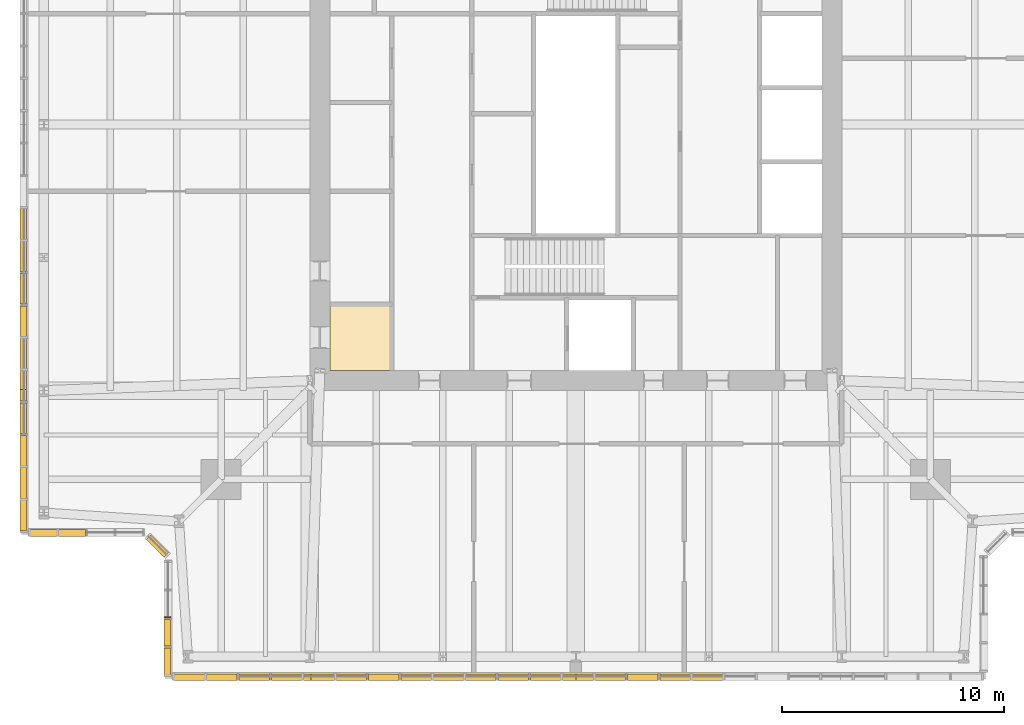
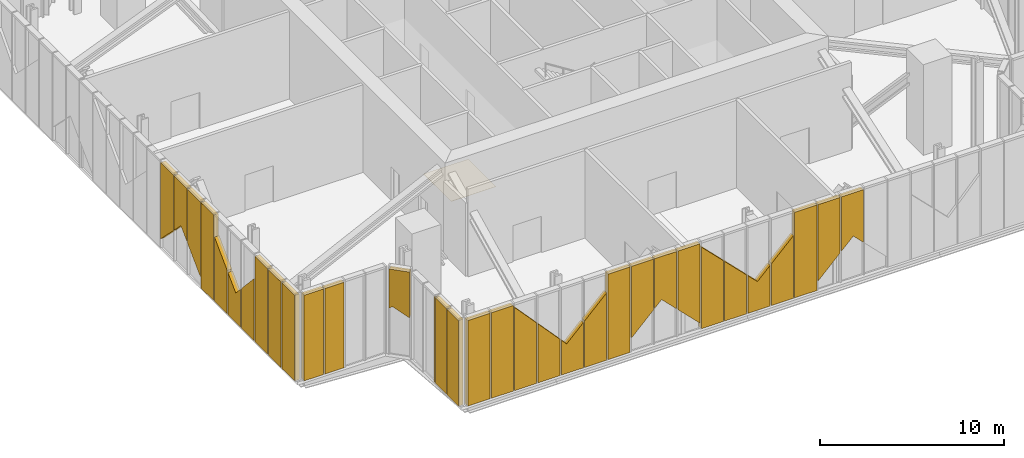
# One storey, part 14 of 18: 34 coverings.
"""IFC4 building model written with IfcOpenShell, lengths in metres."""

import ifcopenshell
import ifcopenshell.guid

model = None  # the IFC model being written
_history = None  # IfcOwnerHistory: only IFC2X3 demands one
_inside = {}  # id of a spatial element -> (the spatial element, [elements in it])
_under = {}  # id of a project, library or spatial element -> (it, [spatial elements below it])
_declared = {}  # id of a project -> (the project, [libraries it declares])
_typed = {}  # id of a type object -> (the type object, [elements of that type])
_made_of = {}  # id of a material, layer set ... -> (it, [elements and type objects made of it])


def new_model(schema):
    """Start an empty IFC model of exactly this schema.

    Asked for "IFC4X3", IfcOpenShell would pick the latest addendum, in which some entities
    have other attributes; the version numbers below select the first issue.
    IFC2X3 requires an IfcOwnerHistory on every rooted entity: one is made here for all.
    """
    global model, _history
    if schema == "IFC4X3":
        model = ifcopenshell.file(schema_version=(4, 3, 0, 0))
    else:
        model = ifcopenshell.file(schema=schema)
    _inside.clear()
    _under.clear()
    _declared.clear()
    _typed.clear()
    _made_of.clear()
    _history = None
    if model.schema == "IFC2X3":
        org = make("IfcOrganization", Name="unknown")
        user = make(
            "IfcPersonAndOrganization",
            ThePerson=make("IfcPerson", FamilyName="unknown"),
            TheOrganization=org,
        )
        app = make(
            "IfcApplication",
            ApplicationDeveloper=org,
            Version="unknown",
            ApplicationFullName="unknown",
            ApplicationIdentifier="unknown",
        )
        _history = make(
            "IfcOwnerHistory",
            OwningUser=user,
            OwningApplication=app,
            ChangeAction="ADDED",
            CreationDate=0,
        )
    return model


def make(cls, **values):
    """One entity of the class cls with the attributes given. An attribute that is None is left unset."""
    return model.create_entity(
        cls, **{name: value for name, value in values.items() if value is not None}
    )


def rooted(cls, **values):
    """An entity with a GlobalId (a new one), such as an element, a storey or a relation."""
    return make(cls, GlobalId=ifcopenshell.guid.new(), OwnerHistory=_history, **values)


def si_unit(unit_type, name, prefix=None):
    """IfcSIUnit, for example si_unit("LENGTHUNIT", "METRE", prefix="MILLI")."""
    return make("IfcSIUnit", UnitType=unit_type, Prefix=prefix, Name=name)


def assignment(units):
    """IfcUnitAssignment: the units of a project."""
    return None if units is None else make("IfcUnitAssignment", Units=units)


def point(xyz):
    """IfcCartesianPoint."""
    return None if xyz is None else make("IfcCartesianPoint", Coordinates=xyz)


def direction(xyz):
    """IfcDirection."""
    return None if xyz is None else make("IfcDirection", DirectionRatios=xyz)


def frame(location, z_axis=None, x_axis=None):
    """IfcAxis2Placement3D, a coordinate frame: its origin and axes. An axis left out is left unset."""
    return make(
        "IfcAxis2Placement3D",
        Location=point(location),
        Axis=direction(z_axis),
        RefDirection=direction(x_axis),
    )


def origin():
    """The frame at (0, 0, 0) with its axes left unset."""
    return frame((0.0, 0.0, 0.0))


def place(relative_to, where):
    """IfcLocalPlacement: puts the frame where relative to a parent placement (None: the world)."""
    return make(
        "IfcLocalPlacement", PlacementRelTo=relative_to, RelativePlacement=where
    )


def context(
    kind, dimensions, precision=None, world=None, true_north=None, identifier=None
):
    """IfcGeometricRepresentationContext, for example the 3D "Model" context."""
    return make(
        "IfcGeometricRepresentationContext",
        ContextIdentifier=identifier,
        ContextType=kind,
        CoordinateSpaceDimension=dimensions,
        Precision=precision,
        WorldCoordinateSystem=world,
        TrueNorth=true_north,
    )


def subcontext(parent, identifier, kind, view, scale=None):
    """IfcGeometricRepresentationSubContext, for example "Body" below "Model"."""
    return make(
        "IfcGeometricRepresentationSubContext",
        ContextIdentifier=identifier,
        ContextType=kind,
        ParentContext=parent,
        TargetScale=scale,
        TargetView=view,
    )


def project(units=None, contexts=None):
    """IfcProject with its units and contexts."""
    return rooted(
        "IfcProject",
        Name="project",
        RepresentationContexts=contexts,
        UnitsInContext=assignment(units),
    )


def spatial(cls, under=None, at=None, **own):
    """A site, building, storey or space (cls), placed at a placement, below another one or the project."""
    s = rooted(cls, ObjectPlacement=at, **own)
    if under is not None:
        _under.setdefault(under.id(), (under, []))[1].append(s)
    return s


def polyline(points):
    """IfcPolyline through the points."""
    return make("IfcPolyline", Points=[point(p) for p in points])


def outline(outer, holes=None, kind="AREA"):
    """IfcArbitraryClosedProfileDef: a profile drawn as a closed curve; with holes, ...WithVoids."""
    if holes is None:
        return make("IfcArbitraryClosedProfileDef", ProfileType=kind, OuterCurve=outer)
    return make(
        "IfcArbitraryProfileDefWithVoids",
        ProfileType=kind,
        OuterCurve=outer,
        InnerCurves=holes,
    )


def extrude(swept, where, along, depth):
    """IfcExtrudedAreaSolid: the profile swept, set in the frame where, extruded along a direction by depth."""
    return make(
        "IfcExtrudedAreaSolid",
        SweptArea=swept,
        Position=where,
        ExtrudedDirection=direction(along),
        Depth=depth,
    )


def shape(context_of_items, identifier, shape_type, items):
    """IfcShapeRepresentation: the items that make up one representation, for example the "Body"."""
    return make(
        "IfcShapeRepresentation",
        ContextOfItems=context_of_items,
        RepresentationIdentifier=identifier,
        RepresentationType=shape_type,
        Items=items,
    )


def material(Name=None, Category=None):
    """IfcMaterial."""
    return make("IfcMaterial", Name=Name, Category=Category)


def layer(
    of_material, thickness, ventilated=None, Name=None, Category=None, Priority=None
):
    """IfcMaterialLayer: one layer of a wall or slab, of a material (None: an air gap)."""
    return make(
        "IfcMaterialLayer",
        Material=of_material,
        LayerThickness=thickness,
        IsVentilated=ventilated,
        Name=Name,
        Category=Category,
        Priority=Priority,
    )


def layer_set(layers, Name=None):
    """IfcMaterialLayerSet."""
    return make("IfcMaterialLayerSet", MaterialLayers=layers, LayerSetName=Name)


def made_of(thing, what):
    """Note that an element or type object is made of a material, layer set ...; save() writes the relation."""
    if what is not None:
        _made_of.setdefault(what.id(), (what, []))[1].append(thing)
    return thing


def type_object(cls, material=None, **own):
    """A type object (cls), such as IfcWallType, which elements share."""
    return made_of(rooted(cls, **own), material)


def element(
    cls,
    number,
    at=None,
    inside=None,
    cuts=None,
    type_object=None,
    material=None,
    context=None,
    identifier="Body",
    shape_type=None,
    held_by="IfcProductDefinitionShape",
    body=None,
    shapes=None,
    **own,
):
    """One element of the class cls, such as IfcWall. Its Tag is "e" and its number.

    at: its placement. inside: the storey or other place that contains it. cuts: it is an
    opening in that element (IfcRelVoidsElement). A single representation is given by context,
    identifier, shape_type and body (its items); several are given by shapes. held_by: the class
    of the entity that holds the representations. save() writes the other relations.
    """
    e = rooted(cls, Tag="e%d" % number, ObjectPlacement=at, **own)
    if body is not None:
        shapes = [shape(context, identifier, shape_type, body)]
    if shapes is not None:
        e.Representation = make(held_by, Representations=shapes)
    if inside is not None:
        _inside.setdefault(inside.id(), (inside, []))[1].append(e)
    if cuts is not None:
        rooted(
            "IfcRelVoidsElement", RelatingBuildingElement=cuts, RelatedOpeningElement=e
        )
    if type_object is not None:
        _typed.setdefault(type_object.id(), (type_object, []))[1].append(e)
    return made_of(e, material)


def aggregate(whole, parts):
    """IfcRelAggregates: a whole, such as a stair, and the parts it consists of."""
    return rooted("IfcRelAggregates", RelatingObject=whole, RelatedObjects=parts)


def save(model, path):
    """Write the relations noted so far, then the file.

    IfcRelAggregates (storeys below a building ...), IfcRelContainedInSpatialStructure (elements
    in a storey), IfcRelDefinesByType, IfcRelAssociatesMaterial and IfcRelDeclares: one each for
    every whole, place, type object, material and project.
    """
    for whole, parts in _under.values():
        aggregate(whole, parts)
    for where, things in _inside.values():
        rooted(
            "IfcRelContainedInSpatialStructure",
            RelatedElements=things,
            RelatingStructure=where,
        )
    for kind, things in _typed.values():
        rooted("IfcRelDefinesByType", RelatedObjects=things, RelatingType=kind)
    for what, things in _made_of.values():
        rooted("IfcRelAssociatesMaterial", RelatedObjects=things, RelatingMaterial=what)
    for by, libraries in _declared.values():
        rooted("IfcRelDeclares", RelatingContext=by, RelatedDefinitions=libraries)
    model.write(path)


model = new_model("IFC4")

# Units and contexts
model_context = context("Model", 3, precision=1e-05, world=origin(), true_north=direction((0.0, 1.0)))
body_context = subcontext(model_context, "Body", "Model", "MODEL_VIEW")
ifc_project = project(units=[si_unit("LENGTHUNIT", "METRE"), si_unit("AREAUNIT", "SQUARE_METRE"), si_unit("VOLUMEUNIT", "CUBIC_METRE"), si_unit("PLANEANGLEUNIT", "RADIAN"), si_unit("MASSUNIT", "GRAM", prefix="KILO")], contexts=[model_context])

# Site, building, storey
site_placement = place(None, origin())
site = spatial("IfcSite", under=ifc_project, at=site_placement, CompositionType="ELEMENT")
building_placement = place(site_placement, origin())
building = spatial("IfcBuilding", under=site, at=building_placement, Name="Fenwick Lantern Interchange", CompositionType="ELEMENT")
storey_placement = place(building_placement, frame((0.0, 0.0, 301.800048828125)))
storey = spatial("IfcBuildingStorey", under=building, at=storey_placement, Name="L73", CompositionType="ELEMENT", Elevation=301.800048828125)

# Coverings
ifc_material_1 = material(Name="Granite cladding, warm grey flamed finish, on aluminium carrier frame", Category="masonry")
ifc_layer_1 = layer(ifc_material_1, 0.300048828125)
ifc_layer_set_1 = layer_set([ifc_layer_1], Name="BRACE CASING PANEL 300")
covering_type_1 = type_object("IfcCoveringType", Name="BRACE CASING PANEL 300", PredefinedType="CLADDING", material=ifc_layer_set_1)
covering_1_placement = place(storey_placement, frame((6.60009765625, 0.10009765625, 0.0), z_axis=(0.0, 0.0, 1.0), x_axis=(1.0, 0.0, 0.0)))
element("IfcCovering", 1, at=covering_1_placement, inside=storey, type_object=covering_type_1, Name="Brace casing 01 bay 00a", PredefinedType="CLADDING", context=body_context, shape_type="SweptSolid", body=[
    extrude(outline(polyline([(0.280029296875, 0.0), (1.660888671875, 0.0), (1.660888671875, 5.659912109375), (0.280029296875, 5.659912109375), (0.280029296875, 0.0)])), frame((0.0, 0.125, 0.0), z_axis=(0.0, -1.0, 0.0), x_axis=(1.0, 0.0, 0.0)), (0.0, 0.0, 1.0), 0.300048828125),
])
covering_2_placement = place(storey_placement, frame((6.60009765625, 0.10009765625, 0.0), z_axis=(0.0, 0.0, 1.0), x_axis=(1.0, 0.0, 0.0)))
element("IfcCovering", 2, at=covering_2_placement, inside=storey, type_object=covering_type_1, Name="Brace casing 01 bay 01a", PredefinedType="CLADDING", context=body_context, shape_type="SweptSolid", body=[
    extrude(outline(polyline([(1.74072265625, 0.0), (3.12158203125, 0.0), (3.12158203125, 5.659912109375), (1.74072265625, 5.659912109375), (1.74072265625, 0.0)])), frame((0.0, 0.125, 0.0), z_axis=(0.0, -1.0, 0.0), x_axis=(1.0, 0.0, 0.0)), (0.0, 0.0, 1.0), 0.300048828125),
])
covering_3_placement = place(storey_placement, frame((6.60009765625, 0.10009765625, 0.0), z_axis=(0.0, 0.0, 1.0), x_axis=(1.0, 0.0, 0.0)))
element("IfcCovering", 3, at=covering_3_placement, inside=storey, type_object=covering_type_1, Name="Brace casing 01 bay 02a", PredefinedType="CLADDING", context=body_context, shape_type="SweptSolid", body=[
    extrude(outline(polyline([(3.20166015625, 0.0), (4.58251953125, 0.0), (4.58251953125, 3.99658203125), (3.20166015625, 5.5029296875), (3.20166015625, 0.0)])), frame((0.0, 0.125, 0.0), z_axis=(0.0, -1.0, 0.0), x_axis=(1.0, 0.0, 0.0)), (0.0, 0.0, 1.0), 0.300048828125),
])
covering_4_placement = place(storey_placement, frame((6.60009765625, 0.10009765625, 0.0), z_axis=(0.0, 0.0, 1.0), x_axis=(1.0, 0.0, 0.0)))
element("IfcCovering", 4, at=covering_4_placement, inside=storey, type_object=covering_type_1, Name="Brace casing 01 bay 03a", PredefinedType="CLADDING", context=body_context, shape_type="SweptSolid", body=[
    extrude(outline(polyline([(4.662353515625, 0.0), (6.043212890625, 0.0), (6.043212890625, 2.403076171875), (4.662353515625, 3.909423828125), (4.662353515625, 0.0)])), frame((0.0, 0.125, 0.0), z_axis=(0.0, -1.0, 0.0), x_axis=(1.0, 0.0, 0.0)), (0.0, 0.0, 1.0), 0.300048828125),
])
covering_5_placement = place(storey_placement, frame((6.60009765625, 0.10009765625, 0.0), z_axis=(0.0, 0.0, 1.0), x_axis=(1.0, 0.0, 0.0)))
element("IfcCovering", 5, at=covering_5_placement, inside=storey, type_object=covering_type_1, Name="Brace casing 01 bay 04a", PredefinedType="CLADDING", context=body_context, shape_type="SweptSolid", body=[
    extrude(outline(polyline([(6.123291015625, 0.0), (7.50390625, 0.0), (7.50390625, 2.99951171875), (6.45654296875, 1.9521484375), (6.123291015625, 2.315673828125), (6.123291015625, 0.0)])), frame((0.0, 0.125, 0.0), z_axis=(0.0, -1.0, 0.0), x_axis=(1.0, 0.0, 0.0)), (0.0, 0.0, 1.0), 0.300048828125),
])
covering_6_placement = place(storey_placement, frame((6.60009765625, 0.10009765625, 0.0), z_axis=(0.0, 0.0, 1.0), x_axis=(1.0, 0.0, 0.0)))
element("IfcCovering", 6, at=covering_6_placement, inside=storey, type_object=covering_type_1, Name="Brace casing 01 bay 05a", PredefinedType="CLADDING", context=body_context, shape_type="SweptSolid", body=[
    extrude(outline(polyline([(7.583984375, 0.0), (8.96484375, 0.0), (8.96484375, 4.460205078125), (7.583984375, 3.07958984375), (7.583984375, 0.0)])), frame((0.0, 0.125, 0.0), z_axis=(0.0, -1.0, 0.0), x_axis=(1.0, 0.0, 0.0)), (0.0, 0.0, 1.0), 0.300048828125),
])
covering_7_placement = place(storey_placement, frame((6.60009765625, 0.10009765625, 0.0), z_axis=(0.0, 0.0, 1.0), x_axis=(1.0, 0.0, 0.0)))
element("IfcCovering", 7, at=covering_7_placement, inside=storey, type_object=covering_type_1, Name="Brace casing 01 bay 06a", PredefinedType="CLADDING", context=body_context, shape_type="SweptSolid", body=[
    extrude(outline(polyline([(9.044921875, 0.0), (10.425537109375, 0.0), (10.425537109375, 5.659912109375), (9.044921875, 5.659912109375), (9.044921875, 0.0)])), frame((0.0, 0.125, 0.0), z_axis=(0.0, -1.0, 0.0), x_axis=(1.0, 0.0, 0.0)), (0.0, 0.0, 1.0), 0.300048828125),
])
covering_8_placement = place(storey_placement, frame((6.60009765625, 0.10009765625, 0.909912109375), z_axis=(0.0, 0.0, 1.0), x_axis=(1.0, 0.0, 0.0)))
element("IfcCovering", 8, at=covering_8_placement, inside=storey, type_object=covering_type_1, Name="Brace casing 01 bay 07a", PredefinedType="CLADDING", context=body_context, shape_type="SweptSolid", body=[
    extrude(outline(polyline([(10.505615234375, 0.0), (11.886474609375, 1.380859375), (11.886474609375, 4.75), (10.505615234375, 4.75), (10.505615234375, 0.0)])), frame((0.0, 0.125, 0.0), z_axis=(0.0, -1.0, 0.0), x_axis=(1.0, 0.0, 0.0)), (0.0, 0.0, 1.0), 0.300048828125),
])
covering_9_placement = place(storey_placement, frame((6.60009765625, 0.10009765625, 1.857177734375), z_axis=(0.0, 0.0, 1.0), x_axis=(1.0, 0.0, 0.0)))
element("IfcCovering", 9, at=covering_9_placement, inside=storey, type_object=covering_type_1, Name="Brace casing 01 bay 08a", PredefinedType="CLADDING", context=body_context, shape_type="SweptSolid", body=[
    extrude(outline(polyline([(13.34716796875, 0.0), (13.34716796875, 3.802734375), (11.96630859375, 3.802734375), (11.96630859375, 0.513671875), (12.39990234375, 0.947265625), (13.34716796875, 0.0)])), frame((0.0, 0.125, 0.0), z_axis=(0.0, -1.0, 0.0), x_axis=(1.0, 0.0, 0.0)), (0.0, 0.0, 1.0), 0.300048828125),
])
covering_10_placement = place(storey_placement, frame((6.60009765625, 0.10009765625, 0.396484375), z_axis=(0.0, 0.0, 1.0), x_axis=(1.0, 0.0, 0.0)))
element("IfcCovering", 10, at=covering_10_placement, inside=storey, type_object=covering_type_1, Name="Brace casing 01 bay 09a", PredefinedType="CLADDING", context=body_context, shape_type="SweptSolid", body=[
    extrude(outline(polyline([(14.80810546875, 0.0), (14.80810546875, 5.263427734375), (13.42724609375, 5.263427734375), (13.42724609375, 1.380615234375), (14.80810546875, 0.0)])), frame((0.0, 0.125, 0.0), z_axis=(0.0, -1.0, 0.0), x_axis=(1.0, 0.0, 0.0)), (0.0, 0.0, 1.0), 0.300048828125),
])
covering_11_placement = place(storey_placement, frame((6.60009765625, 0.10009765625, 0.0), z_axis=(0.0, 0.0, 1.0), x_axis=(1.0, 0.0, 0.0)))
element("IfcCovering", 11, at=covering_11_placement, inside=storey, type_object=covering_type_1, Name="Brace casing 01 bay 10a", PredefinedType="CLADDING", context=body_context, shape_type="SweptSolid", body=[
    extrude(outline(polyline([(14.887939453125, 0.0), (16.268798828125, 0.0), (16.268798828125, 4.026611328125), (14.887939453125, 5.407470703125), (14.887939453125, 0.0)])), frame((0.0, 0.125, 0.0), z_axis=(0.0, -1.0, 0.0), x_axis=(1.0, 0.0, 0.0)), (0.0, 0.0, 1.0), 0.300048828125),
])
covering_12_placement = place(storey_placement, frame((6.60009765625, 0.10009765625, 0.0), z_axis=(0.0, 0.0, 1.0), x_axis=(1.0, 0.0, 0.0)))
element("IfcCovering", 12, at=covering_12_placement, inside=storey, type_object=covering_type_1, Name="Brace casing 01 bay 11a", PredefinedType="CLADDING", context=body_context, shape_type="SweptSolid", body=[
    extrude(outline(polyline([(16.348876953125, 0.0), (17.7294921875, 0.0), (17.7294921875, 2.56591796875), (16.348876953125, 3.94677734375), (16.348876953125, 0.0)])), frame((0.0, 0.125, 0.0), z_axis=(0.0, -1.0, 0.0), x_axis=(1.0, 0.0, 0.0)), (0.0, 0.0, 1.0), 0.300048828125),
])
covering_13_placement = place(storey_placement, frame((6.60009765625, 0.10009765625, 0.0), z_axis=(0.0, 0.0, 1.0), x_axis=(1.0, 0.0, 0.0)))
element("IfcCovering", 13, at=covering_13_placement, inside=storey, type_object=covering_type_1, Name="Brace casing 01 bay 12a", PredefinedType="CLADDING", context=body_context, shape_type="SweptSolid", body=[
    extrude(outline(polyline([(17.8095703125, 0.0), (19.1904296875, 0.0), (19.1904296875, 2.68603515625), (18.39990234375, 1.8955078125), (17.8095703125, 2.48583984375), (17.8095703125, 0.0)])), frame((0.0, 0.125, 0.0), z_axis=(0.0, -1.0, 0.0), x_axis=(1.0, 0.0, 0.0)), (0.0, 0.0, 1.0), 0.300048828125),
])
covering_14_placement = place(storey_placement, frame((6.60009765625, 0.10009765625, 0.0), z_axis=(0.0, 0.0, 1.0), x_axis=(1.0, 0.0, 0.0)))
element("IfcCovering", 14, at=covering_14_placement, inside=storey, type_object=covering_type_1, Name="Brace casing 01 bay 13a", PredefinedType="CLADDING", context=body_context, shape_type="SweptSolid", body=[
    extrude(outline(polyline([(19.2705078125, 0.0), (20.651123046875, 0.0), (20.651123046875, 4.146728515625), (19.2705078125, 2.765869140625), (19.2705078125, 0.0)])), frame((0.0, 0.125, 0.0), z_axis=(0.0, -1.0, 0.0), x_axis=(1.0, 0.0, 0.0)), (0.0, 0.0, 1.0), 0.300048828125),
])
covering_15_placement = place(storey_placement, frame((6.60009765625, 0.10009765625, 0.0), z_axis=(0.0, 0.0, 1.0), x_axis=(1.0, 0.0, 0.0)))
element("IfcCovering", 15, at=covering_15_placement, inside=storey, type_object=covering_type_1, Name="Brace casing 01 bay 14a", PredefinedType="CLADDING", context=body_context, shape_type="SweptSolid", body=[
    extrude(outline(polyline([(20.731201171875, 0.0), (22.112060546875, 0.0), (22.112060546875, 5.659912109375), (20.731201171875, 5.659912109375), (20.731201171875, 0.0)])), frame((0.0, 0.125, 0.0), z_axis=(0.0, -1.0, 0.0), x_axis=(1.0, 0.0, 0.0)), (0.0, 0.0, 1.0), 0.300048828125),
])
covering_16_placement = place(storey_placement, frame((6.60009765625, 0.10009765625, 0.596435546875), z_axis=(0.0, 0.0, 1.0), x_axis=(1.0, 0.0, 0.0)))
element("IfcCovering", 16, at=covering_16_placement, inside=storey, type_object=covering_type_1, Name="Brace casing 01 bay 15a", PredefinedType="CLADDING", context=body_context, shape_type="SweptSolid", body=[
    extrude(outline(polyline([(22.19189453125, 0.0), (23.57275390625, 1.380859375), (23.57275390625, 5.0634765625), (22.19189453125, 5.0634765625), (22.19189453125, 0.0)])), frame((0.0, 0.125, 0.0), z_axis=(0.0, -1.0, 0.0), x_axis=(1.0, 0.0, 0.0)), (0.0, 0.0, 1.0), 0.300048828125),
])
covering_17_placement = place(storey_placement, frame((6.60009765625, 0.10009765625, 2.05712890625), z_axis=(0.0, 0.0, 1.0), x_axis=(1.0, 0.0, 0.0)))
element("IfcCovering", 17, at=covering_17_placement, inside=storey, type_object=covering_type_1, Name="Brace casing 01 bay 16a", PredefinedType="CLADDING", context=body_context, shape_type="SweptSolid", body=[
    extrude(outline(polyline([(23.65283203125, 0.0), (24.39990234375, 0.747314453125), (25.03369140625, 0.11376953125), (25.03369140625, 3.602783203125), (23.65283203125, 3.602783203125), (23.65283203125, 0.0)])), frame((0.0, 0.125, 0.0), z_axis=(0.0, -1.0, 0.0), x_axis=(1.0, 0.0, 0.0)), (0.0, 0.0, 1.0), 0.300048828125),
])
covering_18_placement = place(storey_placement, frame((0.10009765625, 43.39990234375, 0.596435546875), z_axis=(0.0, 0.0, 1.0), x_axis=(0.0, -1.0, 0.0)))
element("IfcCovering", 18, at=covering_18_placement, inside=storey, type_object=covering_type_1, Name="Brace casing 13 bay 15a", PredefinedType="CLADDING", context=body_context, shape_type="SweptSolid", body=[
    extrude(outline(polyline([(22.19189453125, 0.0), (23.57275390625, 1.380859375), (23.57275390625, 5.0634765625), (22.19189453125, 5.0634765625), (22.19189453125, 0.0)])), frame((0.0, 0.125, 0.0), z_axis=(0.0, -1.0, 0.0), x_axis=(1.0, 0.0, 0.0)), (0.0, 0.0, 1.0), 0.300048828125),
])
covering_19_placement = place(storey_placement, frame((0.10009765625, 43.39990234375, 2.05712890625), z_axis=(0.0, 0.0, 1.0), x_axis=(0.0, -1.0, 0.0)))
element("IfcCovering", 19, at=covering_19_placement, inside=storey, type_object=covering_type_1, Name="Brace casing 13 bay 16a", PredefinedType="CLADDING", context=body_context, shape_type="SweptSolid", body=[
    extrude(outline(polyline([(23.65283203125, 0.0), (24.39990234375, 0.747314453125), (25.03369140625, 0.11376953125), (25.03369140625, 3.602783203125), (23.65283203125, 3.602783203125), (23.65283203125, 0.0)])), frame((0.0, 0.125, 0.0), z_axis=(0.0, -1.0, 0.0), x_axis=(1.0, 0.0, 0.0)), (0.0, 0.0, 1.0), 0.300048828125),
])
covering_20_placement = place(storey_placement, frame((0.10009765625, 43.39990234375, 0.7099609375), z_axis=(0.0, 0.0, 1.0), x_axis=(0.0, -1.0, 0.0)))
element("IfcCovering", 20, at=covering_20_placement, inside=storey, type_object=covering_type_1, Name="Brace casing 13 bay 17a", PredefinedType="CLADDING", context=body_context, shape_type="SweptSolid", body=[
    extrude(outline(polyline([(26.494384765625, 0.0), (26.494384765625, 4.949951171875), (25.113525390625, 4.949951171875), (25.113525390625, 1.380859375), (26.494384765625, 0.0)])), frame((0.0, 0.125, 0.0), z_axis=(0.0, -1.0, 0.0), x_axis=(1.0, 0.0, 0.0)), (0.0, 0.0, 1.0), 0.300048828125),
])
covering_21_placement = place(storey_placement, frame((0.10009765625, 43.39990234375, 0.0), z_axis=(0.0, 0.0, 1.0), x_axis=(0.0, -1.0, 0.0)))
element("IfcCovering", 21, at=covering_21_placement, inside=storey, type_object=covering_type_1, Name="Brace casing 13 bay 18a", PredefinedType="CLADDING", context=body_context, shape_type="SweptSolid", body=[
    extrude(outline(polyline([(26.574462890625, 0.0), (27.955078125, 0.0), (27.955078125, 5.659912109375), (26.574462890625, 5.659912109375), (26.574462890625, 0.0)])), frame((0.0, 0.125, 0.0), z_axis=(0.0, -1.0, 0.0), x_axis=(1.0, 0.0, 0.0)), (0.0, 0.0, 1.0), 0.300048828125),
])
covering_22_placement = place(storey_placement, frame((0.10009765625, 43.39990234375, 0.0), z_axis=(0.0, 0.0, 1.0), x_axis=(0.0, -1.0, 0.0)))
element("IfcCovering", 22, at=covering_22_placement, inside=storey, type_object=covering_type_1, Name="Brace casing 13 bay 19a", PredefinedType="CLADDING", context=body_context, shape_type="SweptSolid", body=[
    extrude(outline(polyline([(28.03515625, 0.0), (29.416015625, 0.0), (29.416015625, 2.879638671875), (28.03515625, 4.26025390625), (28.03515625, 0.0)])), frame((0.0, 0.125, 0.0), z_axis=(0.0, -1.0, 0.0), x_axis=(1.0, 0.0, 0.0)), (0.0, 0.0, 1.0), 0.300048828125),
])
covering_23_placement = place(storey_placement, frame((0.10009765625, 43.39990234375, 0.0), z_axis=(0.0, 0.0, 1.0), x_axis=(0.0, -1.0, 0.0)))
element("IfcCovering", 23, at=covering_23_placement, inside=storey, type_object=covering_type_1, Name="Brace casing 13 bay 20a", PredefinedType="CLADDING", context=body_context, shape_type="SweptSolid", body=[
    extrude(outline(polyline([(29.49609375, 0.0), (30.876708984375, 0.0), (30.876708984375, 2.533935546875), (30.343505859375, 1.9521484375), (29.49609375, 2.799560546875), (29.49609375, 0.0)])), frame((0.0, 0.125, 0.0), z_axis=(0.0, -1.0, 0.0), x_axis=(1.0, 0.0, 0.0)), (0.0, 0.0, 1.0), 0.300048828125),
])
covering_24_placement = place(storey_placement, frame((0.10009765625, 43.39990234375, 0.0), z_axis=(0.0, 0.0, 1.0), x_axis=(0.0, -1.0, 0.0)))
element("IfcCovering", 24, at=covering_24_placement, inside=storey, type_object=covering_type_1, Name="Brace casing 13 bay 21a", PredefinedType="CLADDING", context=body_context, shape_type="SweptSolid", body=[
    extrude(outline(polyline([(30.956787109375, 0.0), (32.337646484375, 0.0), (32.337646484375, 4.12744140625), (30.956787109375, 2.62109375), (30.956787109375, 0.0)])), frame((0.0, 0.125, 0.0), z_axis=(0.0, -1.0, 0.0), x_axis=(1.0, 0.0, 0.0)), (0.0, 0.0, 1.0), 0.300048828125),
])
covering_25_placement = place(storey_placement, frame((0.10009765625, 43.39990234375, 0.0), z_axis=(0.0, 0.0, 1.0), x_axis=(0.0, -1.0, 0.0)))
element("IfcCovering", 25, at=covering_25_placement, inside=storey, type_object=covering_type_1, Name="Brace casing 13 bay 22a", PredefinedType="CLADDING", context=body_context, shape_type="SweptSolid", body=[
    extrude(outline(polyline([(32.41748046875, 0.0), (33.79833984375, 0.0), (33.79833984375, 5.659912109375), (32.41748046875, 5.659912109375), (32.41748046875, 0.0)])), frame((0.0, 0.125, 0.0), z_axis=(0.0, -1.0, 0.0), x_axis=(1.0, 0.0, 0.0)), (0.0, 0.0, 1.0), 0.300048828125),
])
covering_26_placement = place(storey_placement, frame((0.10009765625, 43.39990234375, 0.0), z_axis=(0.0, 0.0, 1.0), x_axis=(0.0, -1.0, 0.0)))
element("IfcCovering", 26, at=covering_26_placement, inside=storey, type_object=covering_type_1, Name="Brace casing 13 bay 23a", PredefinedType="CLADDING", context=body_context, shape_type="SweptSolid", body=[
    extrude(outline(polyline([(33.87841796875, 0.0), (35.25927734375, 0.0), (35.25927734375, 5.659912109375), (33.87841796875, 5.659912109375), (33.87841796875, 0.0)])), frame((0.0, 0.125, 0.0), z_axis=(0.0, -1.0, 0.0), x_axis=(1.0, 0.0, 0.0)), (0.0, 0.0, 1.0), 0.300048828125),
])
covering_27_placement = place(storey_placement, frame((0.10009765625, 43.39990234375, 0.0), z_axis=(0.0, 0.0, 1.0), x_axis=(0.0, -1.0, 0.0)))
element("IfcCovering", 27, at=covering_27_placement, inside=storey, type_object=covering_type_1, Name="Brace casing 13 bay 24a", PredefinedType="CLADDING", context=body_context, shape_type="SweptSolid", body=[
    extrude(outline(polyline([(35.339111328125, 0.0), (36.719970703125, 0.0), (36.719970703125, 5.659912109375), (35.339111328125, 5.659912109375), (35.339111328125, 0.0)])), frame((0.0, 0.125, 0.0), z_axis=(0.0, -1.0, 0.0), x_axis=(1.0, 0.0, 0.0)), (0.0, 0.0, 1.0), 0.300048828125),
])
covering_28_placement = place(storey_placement, frame((0.10009765625, 6.60009765625, 0.0), z_axis=(0.0, 0.0, 1.0), x_axis=(1.0, 0.0, 0.0)))
element("IfcCovering", 28, at=covering_28_placement, inside=storey, type_object=covering_type_1, Name="Brace casing 14 bay 00a", PredefinedType="CLADDING", context=body_context, shape_type="SweptSolid", body=[
    extrude(outline(polyline([(0.280029296875, 0.0), (1.490234375, 0.0), (1.490234375, 5.659912109375), (0.280029296875, 5.659912109375), (0.280029296875, 0.0)])), frame((0.0, 0.125, 0.0), z_axis=(0.0, -1.0, 0.0), x_axis=(1.0, 0.0, 0.0)), (0.0, 0.0, 1.0), 0.300048828125),
])
covering_29_placement = place(storey_placement, frame((0.10009765625, 6.60009765625, 0.0), z_axis=(0.0, 0.0, 1.0), x_axis=(1.0, 0.0, 0.0)))
element("IfcCovering", 29, at=covering_29_placement, inside=storey, type_object=covering_type_1, Name="Brace casing 14 bay 01a", PredefinedType="CLADDING", context=body_context, shape_type="SweptSolid", body=[
    extrude(outline(polyline([(1.5703125, 0.0), (2.78076171875, 0.0), (2.78076171875, 5.659912109375), (1.5703125, 5.659912109375), (1.5703125, 0.0)])), frame((0.0, 0.125, 0.0), z_axis=(0.0, -1.0, 0.0), x_axis=(1.0, 0.0, 0.0)), (0.0, 0.0, 1.0), 0.300048828125),
])
covering_30_placement = place(storey_placement, frame((5.54150390625, 6.60009765625, 2.625244140625), z_axis=(0.0, 0.0, 1.0), x_axis=(0.707106781187, -0.707106781187, 0.0)))
element("IfcCovering", 30, at=covering_30_placement, inside=storey, type_object=covering_type_1, Name="Brace casing 15 bay 00a", PredefinedType="CLADDING", context=body_context, shape_type="SweptSolid", body=[
    extrude(outline(polyline([(1.4169921875, 0.0), (1.4169921875, 3.03466796875), (0.280029296875, 3.03466796875), (0.280029296875, 0.453857421875), (0.46630859375, 0.5751953125), (1.4169921875, 0.0)])), frame((0.0, 0.125, 0.0), z_axis=(0.0, -1.0, 0.0), x_axis=(1.0, 0.0, 0.0)), (0.0, 0.0, 1.0), 0.300048828125),
])
covering_31_placement = place(storey_placement, frame((6.60009765625, 5.54150390625, 0.0), z_axis=(0.0, 0.0, 1.0), x_axis=(0.0, -1.0, 0.0)))
element("IfcCovering", 31, at=covering_31_placement, inside=storey, type_object=covering_type_1, Name="Brace casing 16 bay 01a", PredefinedType="CLADDING", context=body_context, shape_type="SweptSolid", body=[
    extrude(outline(polyline([(2.741455078125, 0.0), (2.78076171875, 0.0), (2.78076171875, 5.659912109375), (2.741455078125, 5.659912109375), (2.741455078125, 0.0)])), frame((0.0, 0.125, 0.0), z_axis=(0.0, -1.0, 0.0), x_axis=(1.0, 0.0, 0.0)), (0.0, 0.0, 1.0), 0.300048828125),
])
covering_32_placement = place(storey_placement, frame((6.60009765625, 5.54150390625, 0.0), z_axis=(0.0, 0.0, 1.0), x_axis=(0.0, -1.0, 0.0)))
element("IfcCovering", 32, at=covering_32_placement, inside=storey, type_object=covering_type_1, Name="Brace casing 16 bay 02a", PredefinedType="CLADDING", context=body_context, shape_type="SweptSolid", body=[
    extrude(outline(polyline([(2.860595703125, 0.0), (4.071044921875, 0.0), (4.071044921875, 5.659912109375), (2.860595703125, 5.659912109375), (2.860595703125, 0.0)])), frame((0.0, 0.125, 0.0), z_axis=(0.0, -1.0, 0.0), x_axis=(1.0, 0.0, 0.0)), (0.0, 0.0, 1.0), 0.300048828125),
])
covering_33_placement = place(storey_placement, frame((6.60009765625, 5.54150390625, 0.0), z_axis=(0.0, 0.0, 1.0), x_axis=(0.0, -1.0, 0.0)))
element("IfcCovering", 33, at=covering_33_placement, inside=storey, type_object=covering_type_1, Name="Brace casing 16 bay 03a", PredefinedType="CLADDING", context=body_context, shape_type="SweptSolid", body=[
    extrude(outline(polyline([(4.151123046875, 0.0), (5.361328125, 0.0), (5.361328125, 5.659912109375), (4.151123046875, 5.659912109375), (4.151123046875, 0.0)])), frame((0.0, 0.125, 0.0), z_axis=(0.0, -1.0, 0.0), x_axis=(1.0, 0.0, 0.0)), (0.0, 0.0, 1.0), 0.300048828125),
])
ifc_material_2 = material(Name="Moisture resistant gypsum board on suspended frame, painted")
ifc_layer_2 = layer(ifc_material_2, 0.014892578125)
ifc_layer_set_2 = layer_set([ifc_layer_2], Name="MOISTURE RESISTANT CEILING 15")
covering_type_2 = type_object("IfcCoveringType", Name="MOISTURE RESISTANT CEILING 15", PredefinedType="CEILING", material=ifc_layer_set_2)
covering_34_placement = place(storey_placement, frame((0.0, 0.0, 2.599853515625)))
element("IfcCovering", 34, at=covering_34_placement, inside=storey, type_object=covering_type_2, Name="Accessible WC ceiling", PredefinedType="CEILING", context=body_context, shape_type="SweptSolid", body=[
    extrude(outline(polyline([(13.89990234375, 13.89990234375), (16.699951171875, 13.89990234375), (16.699951171875, 16.89990234375), (13.89990234375, 16.89990234375), (13.89990234375, 13.89990234375)])), origin(), (0.0, 0.0, 1.0), 0.01513671875),
])

save(model, "model.ifc")
